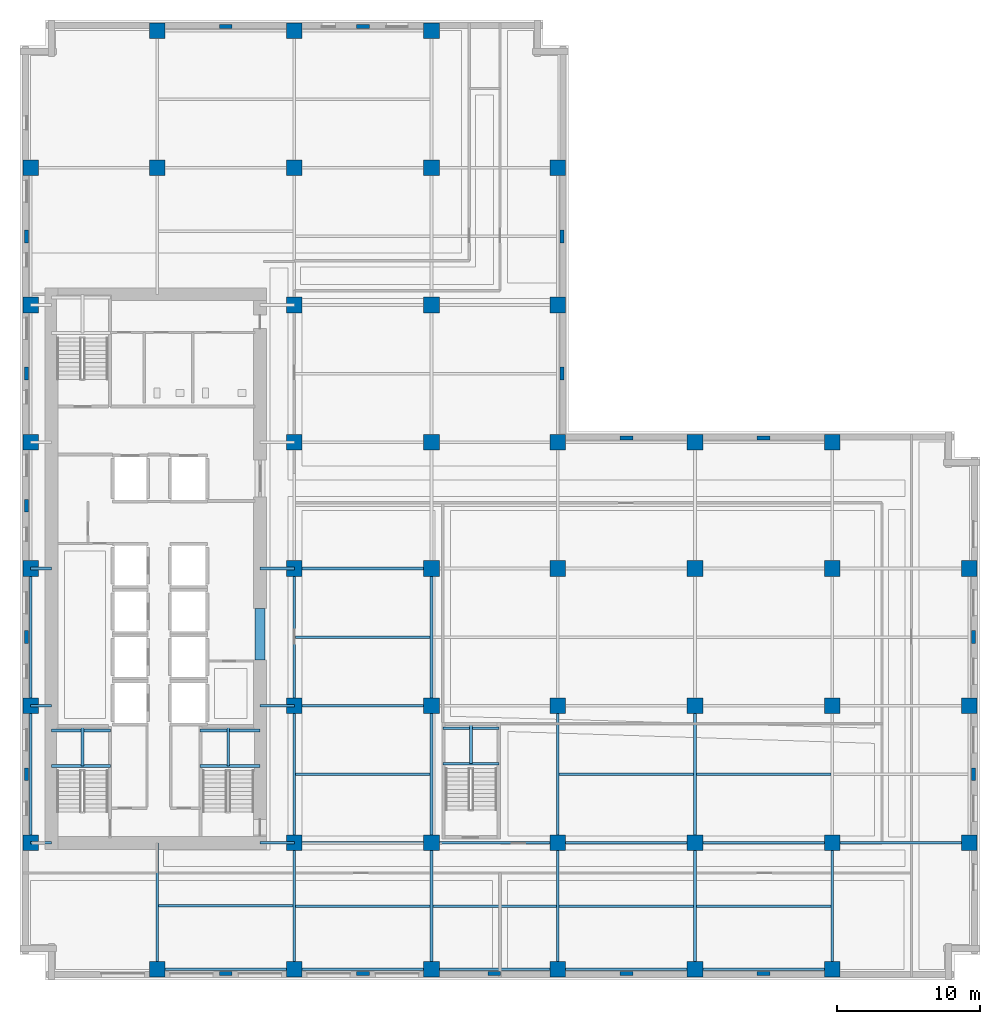
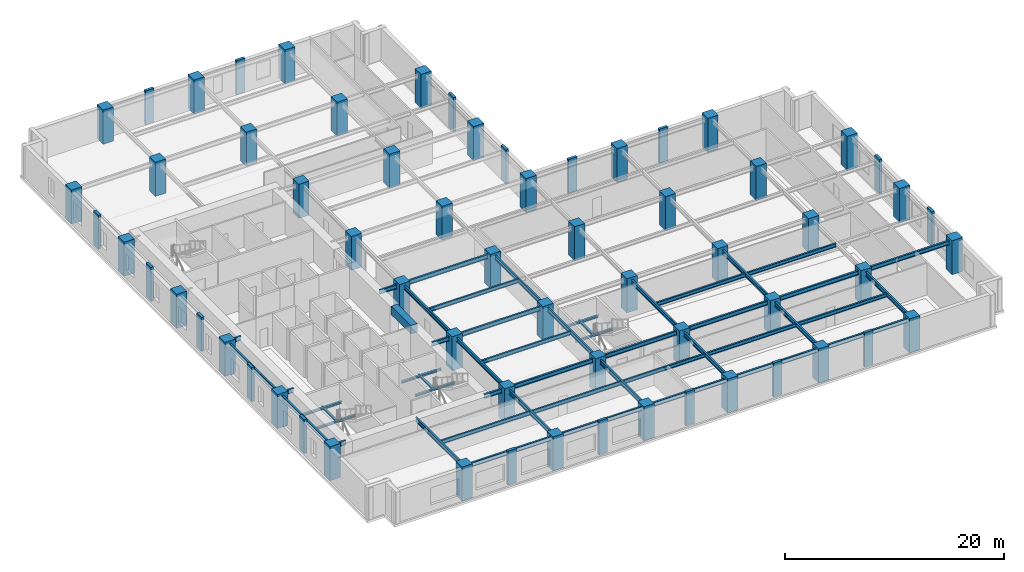
# One storey, part 1 of 13: 63 columns, 51 beams.
"""IFC4 building model written with IfcOpenShell, lengths in metres."""

from ifc_helpers import new_model, si_unit, direction, frame, origin, origin_2d, place, context, subcontext, project, spatial, rectangle, i_section, extrude, material, material_profile, profile_set, type_object, element, save


model = new_model("IFC4")

# Units and contexts
model_context = context("Model", 3, precision=1e-05, world=origin(), true_north=direction((0.0, 1.0)))
body_context = subcontext(model_context, "Body", "Model", "MODEL_VIEW")
ifc_project = project(units=[si_unit("LENGTHUNIT", "METRE"), si_unit("AREAUNIT", "SQUARE_METRE"), si_unit("VOLUMEUNIT", "CUBIC_METRE"), si_unit("PLANEANGLEUNIT", "RADIAN"), si_unit("MASSUNIT", "GRAM", prefix="KILO")], contexts=[model_context])

# Site, building, storey
site_placement = place(None, origin())
site = spatial("IfcSite", under=ifc_project, at=site_placement, CompositionType="ELEMENT")
building_placement = place(site_placement, origin())
building = spatial("IfcBuilding", under=site, at=building_placement, Name="Norrvale University Quadrangle", CompositionType="ELEMENT")
storey_placement = place(building_placement, frame((0.0, 0.0, 85.0)))
storey = spatial("IfcBuildingStorey", under=building, at=storey_placement, Name="L21", CompositionType="ELEMENT", Elevation=85.0)

# Columns
ifc_material_1 = material(Name="Buff Brick Concrete C60/75", Category="concrete")
ifc_material_profile_1 = material_profile(ifc_material_1, rectangle(XDim=0.89990234375, YDim=0.280029296875, at=origin_2d()), Name="Buff Brick Concrete C60/75")
ifc_profile_set_1 = profile_set([ifc_material_profile_1], Name="Buff Brick Concrete C60/75")
column_type_1 = type_object("IfcColumnType", Name="Column Buff Pier 900x280", PredefinedType="PILASTER", material=ifc_profile_set_1)
for number, where, z_axis, x_axis, name in (
    (1, (0.449951171875, 14.39990234375, 0.0), (0.0, 0.0, 1.0), (0.0, 1.0, 0.0), "Exterior Brick Facade Pilaster L21-01"),
    (2, (0.449951171875, 24.0, 0.0), (0.0, 0.0, 1.0), (0.0, 1.0, 0.0), "Exterior Brick Facade Pilaster L21-02"),
    (3, (0.449951171875, 33.199951171875, 0.0), (0.0, 0.0, 1.0), (0.0, 1.0, 0.0), "Exterior Brick Facade Pilaster L21-03"),
    (4, (0.449951171875, 42.449951171875, 0.0), (0.0, 0.0, 1.0), (0.0, 1.0, 0.0), "Exterior Brick Facade Pilaster L21-04"),
    (5, (0.449951171875, 52.050048828125, 0.0), (0.0, 0.0, 1.0), (0.0, 1.0, 0.0), "Exterior Brick Facade Pilaster L21-05"),
    (6, (14.39990234375, 0.449951171875, 0.0), (0.0, 0.0, 1.0), (1.0, 0.0, 0.0), "Exterior Brick Facade Pilaster L21-06"),
    (7, (24.0, 0.449951171875, 0.0), (0.0, 0.0, 1.0), (1.0, 0.0, 0.0), "Exterior Brick Facade Pilaster L21-07"),
    (8, (33.199951171875, 0.449951171875, 0.0), (0.0, 0.0, 1.0), (1.0, 0.0, 0.0), "Exterior Brick Facade Pilaster L21-08"),
    (9, (42.449951171875, 0.449951171875, 0.0), (0.0, 0.0, 1.0), (1.0, 0.0, 0.0), "Exterior Brick Facade Pilaster L21-09"),
    (10, (52.050048828125, 0.449951171875, 0.0), (0.0, 0.0, 1.0), (1.0, 0.0, 0.0), "Exterior Brick Facade Pilaster L21-10"),
    (11, (66.75, 14.39990234375, 0.0), (0.0, 0.0, 1.0), (0.0, 1.0, 0.0), "Exterior Brick Facade Pilaster L21-11"),
    (12, (66.75, 24.0, 0.0), (0.0, 0.0, 1.0), (0.0, 1.0, 0.0), "Exterior Brick Facade Pilaster L21-12"),
    (13, (14.39990234375, 66.75, 0.0), (0.0, 0.0, 1.0), (1.0, 0.0, 0.0), "Exterior Brick Facade Pilaster L21-13"),
    (14, (24.0, 66.75, 0.0), (0.0, 0.0, 1.0), (1.0, 0.0, 0.0), "Exterior Brick Facade Pilaster L21-14"),
    (15, (37.949951171875, 42.449951171875, 0.0), (0.0, 0.0, 1.0), (0.0, 1.0, 0.0), "Exterior Brick Facade Pilaster L21-15"),
    (16, (37.949951171875, 52.050048828125, 0.0), (0.0, 0.0, 1.0), (0.0, 1.0, 0.0), "Exterior Brick Facade Pilaster L21-16"),
    (17, (42.449951171875, 37.949951171875, 0.0), (0.0, 0.0, 1.0), (1.0, 0.0, 0.0), "Exterior Brick Facade Pilaster L21-17"),
    (18, (52.050048828125, 37.949951171875, 0.0), (0.0, 0.0, 1.0), (1.0, 0.0, 0.0), "Exterior Brick Facade Pilaster L21-18"),
):
    element("IfcColumn", number, at=place(storey_placement, frame(where, z_axis=z_axis, x_axis=x_axis)), inside=storey, type_object=column_type_1, Name=name, PredefinedType="PILASTER", context=body_context, shape_type="SweptSolid", body=[
        extrude(rectangle(XDim=0.89990234375, YDim=0.280029296875, at=origin_2d()), origin(), (0.0, 0.0, 1.0), 3.800048828125),
    ])
ifc_material_2 = material(Name="Concrete C80/95", Category="concrete")
ifc_material_profile_2 = material_profile(ifc_material_2, rectangle(XDim=1.10009765625, YDim=1.10009765625, at=origin_2d()), Name="Concrete C80/95")
ifc_profile_set_2 = profile_set([ifc_material_profile_2], Name="Concrete C80/95")
column_type_2 = type_object("IfcColumnType", Name="Column Tower Z1 1100x1100", PredefinedType="COLUMN", material=ifc_profile_set_2)
for number, where, z_axis, x_axis, name in (
    (19, (0.75, 9.60009765625, 0.0), (0.0, 0.0, 1.0), (1.0, 0.0, 0.0), "Tower Column L21-T01"),
    (20, (0.75, 19.199951171875, 0.0), (0.0, 0.0, 1.0), (1.0, 0.0, 0.0), "Tower Column L21-T02"),
    (21, (0.75, 28.800048828125, 0.0), (0.0, 0.0, 1.0), (1.0, 0.0, 0.0), "Tower Column L21-T03"),
    (22, (0.75, 37.64990234375, 0.0), (0.0, 0.0, 1.0), (1.0, 0.0, 0.0), "Tower Column L21-T04"),
    (23, (0.75, 47.25, 0.0), (0.0, 0.0, 1.0), (1.0, 0.0, 0.0), "Tower Column L21-T05"),
    (24, (0.75, 56.85009765625, 0.0), (0.0, 0.0, 1.0), (1.0, 0.0, 0.0), "Tower Column L21-T06"),
    (25, (9.60009765625, 0.75, 0.0), (0.0, 0.0, 1.0), (1.0, 0.0, 0.0), "Tower Column L21-T07"),
    (26, (9.60009765625, 56.85009765625, 0.0), (0.0, 0.0, 1.0), (1.0, 0.0, 0.0), "Tower Column L21-T08"),
    (27, (9.60009765625, 66.449951171875, 0.0), (0.0, 0.0, 1.0), (1.0, 0.0, 0.0), "Tower Column L21-T09"),
    (28, (19.199951171875, 0.75, 0.0), (0.0, 0.0, 1.0), (1.0, 0.0, 0.0), "Tower Column L21-T10"),
    (29, (19.199951171875, 9.60009765625, 0.0), (0.0, 0.0, 1.0), (1.0, 0.0, 0.0), "Tower Column L21-T11"),
    (30, (19.199951171875, 19.199951171875, 0.0), (0.0, 0.0, 1.0), (1.0, 0.0, 0.0), "Tower Column L21-T12"),
    (31, (19.199951171875, 28.800048828125, 0.0), (0.0, 0.0, 1.0), (1.0, 0.0, 0.0), "Tower Column L21-T13"),
    (32, (19.199951171875, 37.64990234375, 0.0), (0.0, 0.0, 1.0), (1.0, 0.0, 0.0), "Tower Column L21-T14"),
    (33, (19.199951171875, 47.25, 0.0), (0.0, 0.0, 1.0), (1.0, 0.0, 0.0), "Tower Column L21-T15"),
    (34, (19.199951171875, 56.85009765625, 0.0), (0.0, 0.0, 1.0), (1.0, 0.0, 0.0), "Tower Column L21-T16"),
    (35, (19.199951171875, 66.449951171875, 0.0), (0.0, 0.0, 1.0), (1.0, 0.0, 0.0), "Tower Column L21-T17"),
    (36, (28.800048828125, 0.75, 0.0), (0.0, 0.0, 1.0), (1.0, 0.0, 0.0), "Tower Column L21-T18"),
    (37, (28.800048828125, 9.60009765625, 0.0), (0.0, 0.0, 1.0), (1.0, 0.0, 0.0), "Tower Column L21-T19"),
    (38, (28.800048828125, 19.199951171875, 0.0), (0.0, 0.0, 1.0), (1.0, 0.0, 0.0), "Tower Column L21-T20"),
    (39, (28.800048828125, 28.800048828125, 0.0), (0.0, 0.0, 1.0), (1.0, 0.0, 0.0), "Tower Column L21-T21"),
    (40, (28.800048828125, 37.64990234375, 0.0), (0.0, 0.0, 1.0), (1.0, 0.0, 0.0), "Tower Column L21-T22"),
    (41, (28.800048828125, 47.25, 0.0), (0.0, 0.0, 1.0), (1.0, 0.0, 0.0), "Tower Column L21-T23"),
    (42, (28.800048828125, 56.85009765625, 0.0), (0.0, 0.0, 1.0), (1.0, 0.0, 0.0), "Tower Column L21-T24"),
    (43, (28.800048828125, 66.449951171875, 0.0), (0.0, 0.0, 1.0), (1.0, 0.0, 0.0), "Tower Column L21-T25"),
    (44, (37.64990234375, 0.75, 0.0), (0.0, 0.0, 1.0), (1.0, 0.0, 0.0), "Tower Column L21-T26"),
    (45, (37.64990234375, 9.60009765625, 0.0), (0.0, 0.0, 1.0), (1.0, 0.0, 0.0), "Tower Column L21-T27"),
    (46, (37.64990234375, 19.199951171875, 0.0), (0.0, 0.0, 1.0), (1.0, 0.0, 0.0), "Tower Column L21-T28"),
    (47, (37.64990234375, 28.800048828125, 0.0), (0.0, 0.0, 1.0), (1.0, 0.0, 0.0), "Tower Column L21-T29"),
    (48, (37.64990234375, 37.64990234375, 0.0), (0.0, 0.0, 1.0), (1.0, 0.0, 0.0), "Tower Column L21-T30"),
    (49, (37.64990234375, 47.25, 0.0), (0.0, 0.0, 1.0), (1.0, 0.0, 0.0), "Tower Column L21-T31"),
    (50, (37.64990234375, 56.85009765625, 0.0), (0.0, 0.0, 1.0), (1.0, 0.0, 0.0), "Tower Column L21-T32"),
    (51, (47.25, 0.75, 0.0), (0.0, 0.0, 1.0), (1.0, 0.0, 0.0), "Tower Column L21-T33"),
    (52, (47.25, 9.60009765625, 0.0), (0.0, 0.0, 1.0), (1.0, 0.0, 0.0), "Tower Column L21-T34"),
    (53, (47.25, 19.199951171875, 0.0), (0.0, 0.0, 1.0), (1.0, 0.0, 0.0), "Tower Column L21-T35"),
    (54, (47.25, 28.800048828125, 0.0), (0.0, 0.0, 1.0), (1.0, 0.0, 0.0), "Tower Column L21-T36"),
    (55, (47.25, 37.64990234375, 0.0), (0.0, 0.0, 1.0), (1.0, 0.0, 0.0), "Tower Column L21-T37"),
    (56, (56.85009765625, 0.75, 0.0), (0.0, 0.0, 1.0), (1.0, 0.0, 0.0), "Tower Column L21-T38"),
    (57, (56.85009765625, 9.60009765625, 0.0), (0.0, 0.0, 1.0), (1.0, 0.0, 0.0), "Tower Column L21-T39"),
    (58, (56.85009765625, 19.199951171875, 0.0), (0.0, 0.0, 1.0), (1.0, 0.0, 0.0), "Tower Column L21-T40"),
    (59, (56.85009765625, 28.800048828125, 0.0), (0.0, 0.0, 1.0), (1.0, 0.0, 0.0), "Tower Column L21-T41"),
    (60, (56.85009765625, 37.64990234375, 0.0), (0.0, 0.0, 1.0), (1.0, 0.0, 0.0), "Tower Column L21-T42"),
    (61, (66.449951171875, 9.60009765625, 0.0), (0.0, 0.0, 1.0), (1.0, 0.0, 0.0), "Tower Column L21-T43"),
    (62, (66.449951171875, 19.199951171875, 0.0), (0.0, 0.0, 1.0), (1.0, 0.0, 0.0), "Tower Column L21-T44"),
    (63, (66.449951171875, 28.800048828125, 0.0), (0.0, 0.0, 1.0), (1.0, 0.0, 0.0), "Tower Column L21-T45"),
):
    element("IfcColumn", number, at=place(storey_placement, frame(where, z_axis=z_axis, x_axis=x_axis)), inside=storey, type_object=column_type_2, Name=name, PredefinedType="COLUMN", context=body_context, shape_type="SweptSolid", body=[
        extrude(rectangle(XDim=1.10009765625, YDim=1.10009765625, at=origin_2d()), origin(), (0.0, 0.0, 1.0), 3.800048828125),
    ])

# Beams
ifc_material_3 = material(Name="Steel 350W", Category="steel")
ifc_material_profile_3 = material_profile(ifc_material_3, i_section(OverallWidth=0.180908203125, OverallDepth=0.4169921875, WebThickness=0.010986328125, FlangeThickness=0.018310546875, FilletRadius=0.011962890625, at=origin_2d()), Name="Steel 350W")
ifc_profile_set_3 = profile_set([ifc_material_profile_3], Name="Steel 350W")
beam_type_1 = type_object("IfcBeamType", Name="Beam Atrium W410x85", PredefinedType="BEAM", material=ifc_profile_set_3)
for number, where, z_axis, x_axis, name in (
    (64, (19.297119140625, 5.175048828125, 3.33154296875), (1.0, 0.0, 0.0), (0.0, 1.0, 0.0), "Beam Atrium W410x85 BM-L21-J080"),
    (65, (19.297119140625, 14.39990234375, 3.33154296875), (1.0, 0.0, 0.0), (0.0, 1.0, 0.0), "Beam Atrium W410x85 BM-L21-J081"),
    (66, (19.297119140625, 24.0, 3.33154296875), (1.0, 0.0, 0.0), (0.0, 1.0, 0.0), "Beam Atrium W410x85 BM-L21-J082"),
):
    element("IfcBeam", number, at=place(storey_placement, frame(where, z_axis=z_axis, x_axis=x_axis)), inside=storey, type_object=beam_type_1, Name=name, PredefinedType="BEAM", context=body_context, shape_type="SweptSolid", body=[
        extrude(i_section(OverallWidth=0.180908203125, OverallDepth=0.4169921875, WebThickness=0.010986328125, FlangeThickness=0.018310546875, FilletRadius=0.011962890625, at=origin_2d()), origin(), (0.0, 0.0, 1.0), 9.40576171875),
    ])
beam_1_placement = place(storey_placement, frame((28.89697265625, 5.175048828125, 3.33154296875), z_axis=(1.0, 0.0, 0.0), x_axis=(0.0, 1.0, 0.0)))
element("IfcBeam", 67, at=beam_1_placement, inside=storey, type_object=beam_type_1, Name="Beam Atrium W410x85 BM-L21-J087", PredefinedType="BEAM", context=body_context, shape_type="SweptSolid", body=[
    extrude(i_section(OverallWidth=0.180908203125, OverallDepth=0.4169921875, WebThickness=0.010986328125, FlangeThickness=0.018310546875, FilletRadius=0.011962890625, at=origin_2d()), origin(), (0.0, 0.0, 1.0), 8.656005859375),
])
for number, where, z_axis, x_axis, name in (
    (68, (37.7470703125, 5.175048828125, 3.33154296875), (1.0, 0.0, 0.0), (0.0, 1.0, 0.0), "Beam Atrium W410x85 BM-L21-J092"),
    (69, (37.7470703125, 14.39990234375, 3.33154296875), (1.0, 0.0, 0.0), (0.0, 1.0, 0.0), "Beam Atrium W410x85 BM-L21-J093"),
    (70, (47.346923828125, 5.175048828125, 3.33154296875), (1.0, 0.0, 0.0), (0.0, 1.0, 0.0), "Beam Atrium W410x85 BM-L21-J096"),
    (71, (47.346923828125, 14.39990234375, 3.33154296875), (1.0, 0.0, 0.0), (0.0, 1.0, 0.0), "Beam Atrium W410x85 BM-L21-J097"),
    (72, (9.697021484375, 5.199951171875, 3.33154296875), (1.0, 0.0, 0.0), (0.0, 1.0, 0.0), "Beam Atrium W410x85 BM-L21-JCS103"),
):
    element("IfcBeam", number, at=place(storey_placement, frame(where, z_axis=z_axis, x_axis=x_axis)), inside=storey, type_object=beam_type_1, Name=name, PredefinedType="BEAM", context=body_context, shape_type="SweptSolid", body=[
        extrude(i_section(OverallWidth=0.180908203125, OverallDepth=0.4169921875, WebThickness=0.010986328125, FlangeThickness=0.018310546875, FilletRadius=0.011962890625, at=origin_2d()), origin(), (0.0, 0.0, 1.0), 9.406005859375),
    ])
ifc_material_profile_4 = material_profile(ifc_material_2, rectangle(XDim=0.699951171875, YDim=0.949951171875, at=origin_2d()), Name="Concrete C80/95")
ifc_profile_set_4 = profile_set([ifc_material_profile_4], Name="Concrete C80/95")
beam_type_2 = type_object("IfcBeamType", Name="Beam Core Link 700x950", PredefinedType="LINTEL", material=ifc_profile_set_4)
beam_2_placement = place(storey_placement, frame((16.800048828125, 22.39990234375, 3.06494140625), z_axis=(0.0, 1.0, 0.0), x_axis=(-1.0, 0.0, 0.0)))
element("IfcBeam", 73, at=beam_2_placement, inside=storey, type_object=beam_type_2, Name="Core Coupling Lintel Beam L21-1", PredefinedType="LINTEL", context=body_context, shape_type="SweptSolid", body=[
    extrude(rectangle(XDim=0.699951171875, YDim=0.949951171875, at=origin_2d()), origin(), (0.0, 0.0, 1.0), 3.60009765625),
])
ifc_material_profile_5 = material_profile(ifc_material_3, i_section(OverallWidth=0.194091796875, OverallDepth=0.468994140625, WebThickness=0.0126953125, FlangeThickness=0.0205078125, FilletRadius=0.012939453125, at=origin_2d()), Name="Steel 350W")
ifc_profile_set_5 = profile_set([ifc_material_profile_5], Name="Steel 350W")
beam_type_3 = type_object("IfcBeamType", Name="Beam Floor W460x106", PredefinedType="BEAM", material=ifc_profile_set_5)
beam_3_placement = place(storey_placement, frame((9.60009765625, 0.75, 3.305419921875), z_axis=(1.0, 0.0, 0.0), x_axis=(0.0, 1.0, 0.0)))
element("IfcBeam", 74, at=beam_3_placement, inside=storey, type_object=beam_type_3, Name="Beam Floor W460x106 BM-L21-GX001", PredefinedType="BEAM", context=body_context, shape_type="SweptSolid", body=[
    extrude(i_section(OverallWidth=0.194091796875, OverallDepth=0.468994140625, WebThickness=0.0126953125, FlangeThickness=0.0205078125, FilletRadius=0.012939453125, at=origin_2d()), origin(), (0.0, 0.0, 1.0), 9.599853515625),
])
beam_4_placement = place(storey_placement, frame((19.199951171875, 0.75, 3.305419921875), z_axis=(1.0, 0.0, 0.0), x_axis=(0.0, 1.0, 0.0)))
element("IfcBeam", 75, at=beam_4_placement, inside=storey, type_object=beam_type_3, Name="Beam Floor W460x106 BM-L21-GX002", PredefinedType="BEAM", context=body_context, shape_type="SweptSolid", body=[
    extrude(i_section(OverallWidth=0.194091796875, OverallDepth=0.468994140625, WebThickness=0.0126953125, FlangeThickness=0.0205078125, FilletRadius=0.012939453125, at=origin_2d()), origin(), (0.0, 0.0, 1.0), 9.60009765625),
])
beam_5_placement = place(storey_placement, frame((28.800048828125, 0.75, 3.305419921875), z_axis=(1.0, 0.0, 0.0), x_axis=(0.0, 1.0, 0.0)))
element("IfcBeam", 76, at=beam_5_placement, inside=storey, type_object=beam_type_3, Name="Beam Floor W460x106 BM-L21-GX003", PredefinedType="BEAM", context=body_context, shape_type="SweptSolid", body=[
    extrude(i_section(OverallWidth=0.194091796875, OverallDepth=0.468994140625, WebThickness=0.0126953125, FlangeThickness=0.0205078125, FilletRadius=0.012939453125, at=origin_2d()), origin(), (0.0, 0.0, 1.0), 8.849853515625),
])
for number, where, z_axis, x_axis, name in (
    (77, (37.64990234375, 0.75, 3.305419921875), (1.0, 0.0, 0.0), (0.0, 1.0, 0.0), "Beam Floor W460x106 BM-L21-GX004"),
    (78, (47.25, 0.75, 3.305419921875), (1.0, 0.0, 0.0), (0.0, 1.0, 0.0), "Beam Floor W460x106 BM-L21-GX005"),
    (79, (19.199951171875, 9.60009765625, 3.305419921875), (1.0, 0.0, 0.0), (0.0, 1.0, 0.0), "Beam Floor W460x106 BM-L21-GX006"),
):
    element("IfcBeam", number, at=place(storey_placement, frame(where, z_axis=z_axis, x_axis=x_axis)), inside=storey, type_object=beam_type_3, Name=name, PredefinedType="BEAM", context=body_context, shape_type="SweptSolid", body=[
        extrude(i_section(OverallWidth=0.194091796875, OverallDepth=0.468994140625, WebThickness=0.0126953125, FlangeThickness=0.0205078125, FilletRadius=0.012939453125, at=origin_2d()), origin(), (0.0, 0.0, 1.0), 9.60009765625),
    ])
beam_6_placement = place(storey_placement, frame((28.800048828125, 9.60009765625, 3.305419921875), z_axis=(1.0, 0.0, 0.0), x_axis=(0.0, 1.0, 0.0)))
element("IfcBeam", 80, at=beam_6_placement, inside=storey, type_object=beam_type_3, Name="Beam Floor W460x106 BM-L21-GX007", PredefinedType="BEAM", context=body_context, shape_type="SweptSolid", body=[
    extrude(i_section(OverallWidth=0.194091796875, OverallDepth=0.468994140625, WebThickness=0.0126953125, FlangeThickness=0.0205078125, FilletRadius=0.012939453125, at=origin_2d()), origin(), (0.0, 0.0, 1.0), 8.849853515625),
])
for number, where, z_axis, x_axis, name in (
    (81, (37.64990234375, 9.60009765625, 3.305419921875), (1.0, 0.0, 0.0), (0.0, 1.0, 0.0), "Beam Floor W460x106 BM-L21-GX008"),
    (82, (47.25, 9.60009765625, 3.305419921875), (1.0, 0.0, 0.0), (0.0, 1.0, 0.0), "Beam Floor W460x106 BM-L21-GX009"),
):
    element("IfcBeam", number, at=place(storey_placement, frame(where, z_axis=z_axis, x_axis=x_axis)), inside=storey, type_object=beam_type_3, Name=name, PredefinedType="BEAM", context=body_context, shape_type="SweptSolid", body=[
        extrude(i_section(OverallWidth=0.194091796875, OverallDepth=0.468994140625, WebThickness=0.0126953125, FlangeThickness=0.0205078125, FilletRadius=0.012939453125, at=origin_2d()), origin(), (0.0, 0.0, 1.0), 9.60009765625),
    ])
beam_7_placement = place(storey_placement, frame((56.85009765625, 9.60009765625, 3.305419921875), z_axis=(1.0, 0.0, 0.0), x_axis=(0.0, 1.0, 0.0)))
element("IfcBeam", 83, at=beam_7_placement, inside=storey, type_object=beam_type_3, Name="Beam Floor W460x106 BM-L21-GX010", PredefinedType="BEAM", context=body_context, shape_type="SweptSolid", body=[
    extrude(i_section(OverallWidth=0.194091796875, OverallDepth=0.468994140625, WebThickness=0.0126953125, FlangeThickness=0.0205078125, FilletRadius=0.012939453125, at=origin_2d()), origin(), (0.0, 0.0, 1.0), 9.599853515625),
])
for number, where, z_axis, x_axis, name in (
    (84, (19.199951171875, 19.199951171875, 3.305419921875), (1.0, 0.0, 0.0), (0.0, 1.0, 0.0), "Beam Floor W460x106 BM-L21-GX011"),
    (85, (19.199951171875, 28.800048828125, 3.305419921875), (1.0, 0.0, 0.0), (0.0, 1.0, 0.0), "Beam Floor W460x106 BM-L21-GX016"),
):
    element("IfcBeam", number, at=place(storey_placement, frame(where, z_axis=z_axis, x_axis=x_axis)), inside=storey, type_object=beam_type_3, Name=name, PredefinedType="BEAM", context=body_context, shape_type="SweptSolid", body=[
        extrude(i_section(OverallWidth=0.194091796875, OverallDepth=0.468994140625, WebThickness=0.0126953125, FlangeThickness=0.0205078125, FilletRadius=0.012939453125, at=origin_2d()), origin(), (0.0, 0.0, 1.0), 9.60009765625),
    ])
beam_8_placement = place(storey_placement, frame((0.75, 9.60009765625, 3.305419921875), z_axis=(0.0, 1.0, 0.0), x_axis=(-1.0, 0.0, 0.0)))
element("IfcBeam", 86, at=beam_8_placement, inside=storey, type_object=beam_type_3, Name="Beam Floor W460x106 BM-L21-GY033", PredefinedType="BEAM", context=body_context, shape_type="SweptSolid", body=[
    extrude(i_section(OverallWidth=0.194091796875, OverallDepth=0.468994140625, WebThickness=0.0126953125, FlangeThickness=0.0205078125, FilletRadius=0.012939453125, at=origin_2d()), origin(), (0.0, 0.0, 1.0), 9.599853515625),
])
beam_9_placement = place(storey_placement, frame((0.75, 19.199951171875, 3.305419921875), z_axis=(0.0, 1.0, 0.0), x_axis=(-1.0, 0.0, 0.0)))
element("IfcBeam", 87, at=beam_9_placement, inside=storey, type_object=beam_type_3, Name="Beam Floor W460x106 BM-L21-GY034", PredefinedType="BEAM", context=body_context, shape_type="SweptSolid", body=[
    extrude(i_section(OverallWidth=0.194091796875, OverallDepth=0.468994140625, WebThickness=0.0126953125, FlangeThickness=0.0205078125, FilletRadius=0.012939453125, at=origin_2d()), origin(), (0.0, 0.0, 1.0), 9.60009765625),
])
beam_10_placement = place(storey_placement, frame((19.199951171875, 0.75, 3.305419921875), z_axis=(0.0, 1.0, 0.0), x_axis=(-1.0, 0.0, 0.0)))
element("IfcBeam", 88, at=beam_10_placement, inside=storey, type_object=beam_type_3, Name="Beam Floor W460x106 BM-L21-GY039", PredefinedType="BEAM", context=body_context, shape_type="SweptSolid", body=[
    extrude(i_section(OverallWidth=0.194091796875, OverallDepth=0.468994140625, WebThickness=0.0126953125, FlangeThickness=0.0205078125, FilletRadius=0.012939453125, at=origin_2d()), origin(), (0.0, 0.0, 1.0), 8.85009765625),
])
beam_11_placement = place(storey_placement, frame((19.199951171875, 9.60009765625, 3.305419921875), z_axis=(0.0, 1.0, 0.0), x_axis=(-1.0, 0.0, 0.0)))
element("IfcBeam", 89, at=beam_11_placement, inside=storey, type_object=beam_type_3, Name="Beam Floor W460x106 BM-L21-GY040", PredefinedType="BEAM", context=body_context, shape_type="SweptSolid", body=[
    extrude(i_section(OverallWidth=0.194091796875, OverallDepth=0.468994140625, WebThickness=0.0126953125, FlangeThickness=0.0205078125, FilletRadius=0.012939453125, at=origin_2d()), origin(), (0.0, 0.0, 1.0), 9.599853515625),
])
beam_12_placement = place(storey_placement, frame((19.199951171875, 19.199951171875, 3.305419921875), z_axis=(0.0, 1.0, 0.0), x_axis=(-1.0, 0.0, 0.0)))
element("IfcBeam", 90, at=beam_12_placement, inside=storey, type_object=beam_type_3, Name="Beam Floor W460x106 BM-L21-GY041", PredefinedType="BEAM", context=body_context, shape_type="SweptSolid", body=[
    extrude(i_section(OverallWidth=0.194091796875, OverallDepth=0.468994140625, WebThickness=0.0126953125, FlangeThickness=0.0205078125, FilletRadius=0.012939453125, at=origin_2d()), origin(), (0.0, 0.0, 1.0), 9.60009765625),
])
beam_13_placement = place(storey_placement, frame((28.800048828125, 0.75, 3.305419921875), z_axis=(0.0, 1.0, 0.0), x_axis=(-1.0, 0.0, 0.0)))
element("IfcBeam", 91, at=beam_13_placement, inside=storey, type_object=beam_type_3, Name="Beam Floor W460x106 BM-L21-GY046", PredefinedType="BEAM", context=body_context, shape_type="SweptSolid", body=[
    extrude(i_section(OverallWidth=0.194091796875, OverallDepth=0.468994140625, WebThickness=0.0126953125, FlangeThickness=0.0205078125, FilletRadius=0.012939453125, at=origin_2d()), origin(), (0.0, 0.0, 1.0), 8.85009765625),
])
beam_14_placement = place(storey_placement, frame((28.800048828125, 9.60009765625, 3.305419921875), z_axis=(0.0, 1.0, 0.0), x_axis=(-1.0, 0.0, 0.0)))
element("IfcBeam", 92, at=beam_14_placement, inside=storey, type_object=beam_type_3, Name="Beam Floor W460x106 BM-L21-GY047", PredefinedType="BEAM", context=body_context, shape_type="SweptSolid", body=[
    extrude(i_section(OverallWidth=0.194091796875, OverallDepth=0.468994140625, WebThickness=0.0126953125, FlangeThickness=0.0205078125, FilletRadius=0.012939453125, at=origin_2d()), origin(), (0.0, 0.0, 1.0), 9.599853515625),
])
beam_15_placement = place(storey_placement, frame((28.800048828125, 19.199951171875, 3.305419921875), z_axis=(0.0, 1.0, 0.0), x_axis=(-1.0, 0.0, 0.0)))
element("IfcBeam", 93, at=beam_15_placement, inside=storey, type_object=beam_type_3, Name="Beam Floor W460x106 BM-L21-GY048", PredefinedType="BEAM", context=body_context, shape_type="SweptSolid", body=[
    extrude(i_section(OverallWidth=0.194091796875, OverallDepth=0.468994140625, WebThickness=0.0126953125, FlangeThickness=0.0205078125, FilletRadius=0.012939453125, at=origin_2d()), origin(), (0.0, 0.0, 1.0), 9.60009765625),
])
beam_16_placement = place(storey_placement, frame((37.64990234375, 0.75, 3.305419921875), z_axis=(0.0, 1.0, 0.0), x_axis=(-1.0, 0.0, 0.0)))
element("IfcBeam", 94, at=beam_16_placement, inside=storey, type_object=beam_type_3, Name="Beam Floor W460x106 BM-L21-GY053", PredefinedType="BEAM", context=body_context, shape_type="SweptSolid", body=[
    extrude(i_section(OverallWidth=0.194091796875, OverallDepth=0.468994140625, WebThickness=0.0126953125, FlangeThickness=0.0205078125, FilletRadius=0.012939453125, at=origin_2d()), origin(), (0.0, 0.0, 1.0), 8.85009765625),
])
beam_17_placement = place(storey_placement, frame((37.64990234375, 9.60009765625, 3.305419921875), z_axis=(0.0, 1.0, 0.0), x_axis=(-1.0, 0.0, 0.0)))
element("IfcBeam", 95, at=beam_17_placement, inside=storey, type_object=beam_type_3, Name="Beam Floor W460x106 BM-L21-GY054", PredefinedType="BEAM", context=body_context, shape_type="SweptSolid", body=[
    extrude(i_section(OverallWidth=0.194091796875, OverallDepth=0.468994140625, WebThickness=0.0126953125, FlangeThickness=0.0205078125, FilletRadius=0.012939453125, at=origin_2d()), origin(), (0.0, 0.0, 1.0), 9.599853515625),
])
beam_18_placement = place(storey_placement, frame((47.25, 0.75, 3.305419921875), z_axis=(0.0, 1.0, 0.0), x_axis=(-1.0, 0.0, 0.0)))
element("IfcBeam", 96, at=beam_18_placement, inside=storey, type_object=beam_type_3, Name="Beam Floor W460x106 BM-L21-GY059", PredefinedType="BEAM", context=body_context, shape_type="SweptSolid", body=[
    extrude(i_section(OverallWidth=0.194091796875, OverallDepth=0.468994140625, WebThickness=0.0126953125, FlangeThickness=0.0205078125, FilletRadius=0.012939453125, at=origin_2d()), origin(), (0.0, 0.0, 1.0), 8.85009765625),
])
beam_19_placement = place(storey_placement, frame((47.25, 9.60009765625, 3.305419921875), z_axis=(0.0, 1.0, 0.0), x_axis=(-1.0, 0.0, 0.0)))
element("IfcBeam", 97, at=beam_19_placement, inside=storey, type_object=beam_type_3, Name="Beam Floor W460x106 BM-L21-GY060", PredefinedType="BEAM", context=body_context, shape_type="SweptSolid", body=[
    extrude(i_section(OverallWidth=0.194091796875, OverallDepth=0.468994140625, WebThickness=0.0126953125, FlangeThickness=0.0205078125, FilletRadius=0.012939453125, at=origin_2d()), origin(), (0.0, 0.0, 1.0), 9.599853515625),
])
beam_20_placement = place(storey_placement, frame((56.85009765625, 0.75, 3.305419921875), z_axis=(0.0, 1.0, 0.0), x_axis=(-1.0, 0.0, 0.0)))
element("IfcBeam", 98, at=beam_20_placement, inside=storey, type_object=beam_type_3, Name="Beam Floor W460x106 BM-L21-GY063", PredefinedType="BEAM", context=body_context, shape_type="SweptSolid", body=[
    extrude(i_section(OverallWidth=0.194091796875, OverallDepth=0.468994140625, WebThickness=0.0126953125, FlangeThickness=0.0205078125, FilletRadius=0.012939453125, at=origin_2d()), origin(), (0.0, 0.0, 1.0), 8.85009765625),
])
beam_21_placement = place(storey_placement, frame((0.75, 9.60009765625, 3.305419921875), z_axis=(1.0, 0.0, 0.0), x_axis=(0.0, 1.0, 0.0)))
element("IfcBeam", 99, at=beam_21_placement, inside=storey, type_object=beam_type_3, Name="Beam Floor W460x106 BM-L21-GCW069", PredefinedType="BEAM", context=body_context, shape_type="SweptSolid", body=[
    extrude(i_section(OverallWidth=0.194091796875, OverallDepth=0.468994140625, WebThickness=0.0126953125, FlangeThickness=0.0205078125, FilletRadius=0.012939453125, at=origin_2d()), origin(), (0.0, 0.0, 1.0), 1.449951171875),
])
beam_22_placement = place(storey_placement, frame((16.800048828125, 9.60009765625, 3.305419921875), z_axis=(1.0, 0.0, 0.0), x_axis=(0.0, 1.0, 0.0)))
element("IfcBeam", 100, at=beam_22_placement, inside=storey, type_object=beam_type_3, Name="Beam Floor W460x106 BM-L21-GCE070", PredefinedType="BEAM", context=body_context, shape_type="SweptSolid", body=[
    extrude(i_section(OverallWidth=0.194091796875, OverallDepth=0.468994140625, WebThickness=0.0126953125, FlangeThickness=0.0205078125, FilletRadius=0.012939453125, at=origin_2d()), origin(), (0.0, 0.0, 1.0), 2.39990234375),
])
beam_23_placement = place(storey_placement, frame((0.75, 19.199951171875, 3.305419921875), z_axis=(1.0, 0.0, 0.0), x_axis=(0.0, 1.0, 0.0)))
element("IfcBeam", 101, at=beam_23_placement, inside=storey, type_object=beam_type_3, Name="Beam Floor W460x106 BM-L21-GCW071", PredefinedType="BEAM", context=body_context, shape_type="SweptSolid", body=[
    extrude(i_section(OverallWidth=0.194091796875, OverallDepth=0.468994140625, WebThickness=0.0126953125, FlangeThickness=0.0205078125, FilletRadius=0.012939453125, at=origin_2d()), origin(), (0.0, 0.0, 1.0), 1.449951171875),
])
beam_24_placement = place(storey_placement, frame((16.800048828125, 19.199951171875, 3.305419921875), z_axis=(1.0, 0.0, 0.0), x_axis=(0.0, 1.0, 0.0)))
element("IfcBeam", 102, at=beam_24_placement, inside=storey, type_object=beam_type_3, Name="Beam Floor W460x106 BM-L21-GCE072", PredefinedType="BEAM", context=body_context, shape_type="SweptSolid", body=[
    extrude(i_section(OverallWidth=0.194091796875, OverallDepth=0.468994140625, WebThickness=0.0126953125, FlangeThickness=0.0205078125, FilletRadius=0.012939453125, at=origin_2d()), origin(), (0.0, 0.0, 1.0), 2.39990234375),
])
beam_25_placement = place(storey_placement, frame((0.75, 28.800048828125, 3.305419921875), z_axis=(1.0, 0.0, 0.0), x_axis=(0.0, 1.0, 0.0)))
element("IfcBeam", 103, at=beam_25_placement, inside=storey, type_object=beam_type_3, Name="Beam Floor W460x106 BM-L21-GCW073", PredefinedType="BEAM", context=body_context, shape_type="SweptSolid", body=[
    extrude(i_section(OverallWidth=0.194091796875, OverallDepth=0.468994140625, WebThickness=0.0126953125, FlangeThickness=0.0205078125, FilletRadius=0.012939453125, at=origin_2d()), origin(), (0.0, 0.0, 1.0), 1.449951171875),
])
beam_26_placement = place(storey_placement, frame((16.800048828125, 28.800048828125, 3.305419921875), z_axis=(1.0, 0.0, 0.0), x_axis=(0.0, 1.0, 0.0)))
element("IfcBeam", 104, at=beam_26_placement, inside=storey, type_object=beam_type_3, Name="Beam Floor W460x106 BM-L21-GCE074", PredefinedType="BEAM", context=body_context, shape_type="SweptSolid", body=[
    extrude(i_section(OverallWidth=0.194091796875, OverallDepth=0.468994140625, WebThickness=0.0126953125, FlangeThickness=0.0205078125, FilletRadius=0.012939453125, at=origin_2d()), origin(), (0.0, 0.0, 1.0), 2.39990234375),
])
beam_27_placement = place(storey_placement, frame((9.60009765625, 0.75, 3.305419921875), z_axis=(0.0, 1.0, 0.0), x_axis=(-1.0, 0.0, 0.0)))
element("IfcBeam", 105, at=beam_27_placement, inside=storey, type_object=beam_type_3, Name="Beam Floor W460x106 BM-L21-GCS102", PredefinedType="BEAM", context=body_context, shape_type="SweptSolid", body=[
    extrude(i_section(OverallWidth=0.194091796875, OverallDepth=0.468994140625, WebThickness=0.0126953125, FlangeThickness=0.0205078125, FilletRadius=0.012939453125, at=origin_2d()), origin(), (0.0, 0.0, 1.0), 8.85009765625),
])
ifc_material_profile_6 = material_profile(ifc_material_3, i_section(OverallWidth=0.201904296875, OverallDepth=0.2470703125, WebThickness=0.00732421875, FlangeThickness=0.010986328125, FilletRadius=0.011962890625, at=origin_2d()), Name="Steel 350W")
ifc_profile_set_6 = profile_set([ifc_material_profile_6], Name="Steel 350W")
beam_type_4 = type_object("IfcBeamType", Name="Beam Stair W250x49", PredefinedType="BEAM", material=ifc_profile_set_6)
for number, where, z_axis, x_axis, name in (
    (106, (2.199951171875, 14.989990234375, 1.576416015625), (1.0, 0.0, 0.0), (0.0, 1.0, 0.0), "Stair Mid-Landing Front Beam ST-01 L21"),
    (107, (2.199951171875, 17.469970703125, 1.576416015625), (1.0, 0.0, 0.0), (0.0, 1.0, 0.0), "Stair Mid-Landing Rear Beam ST-01 L21"),
):
    element("IfcBeam", number, at=place(storey_placement, frame(where, z_axis=z_axis, x_axis=x_axis)), inside=storey, type_object=beam_type_4, Name=name, PredefinedType="BEAM", context=body_context, shape_type="SweptSolid", body=[
        extrude(i_section(OverallWidth=0.201904296875, OverallDepth=0.2470703125, WebThickness=0.00732421875, FlangeThickness=0.010986328125, FilletRadius=0.011962890625, at=origin_2d()), origin(), (0.0, 0.0, 1.0), 4.14013671875),
    ])
for number, where, z_axis, x_axis, name in (
    (108, (12.610107421875, 14.989990234375, 1.576416015625), (1.0, 0.0, 0.0), (0.0, 1.0, 0.0), "Stair Mid-Landing Front Beam ST-03 L21"),
    (109, (12.610107421875, 17.469970703125, 1.576416015625), (1.0, 0.0, 0.0), (0.0, 1.0, 0.0), "Stair Mid-Landing Rear Beam ST-03 L21"),
):
    element("IfcBeam", number, at=place(storey_placement, frame(where, z_axis=z_axis, x_axis=x_axis)), inside=storey, type_object=beam_type_4, Name=name, PredefinedType="BEAM", context=body_context, shape_type="SweptSolid", body=[
        extrude(i_section(OverallWidth=0.201904296875, OverallDepth=0.2470703125, WebThickness=0.00732421875, FlangeThickness=0.010986328125, FilletRadius=0.011962890625, at=origin_2d()), origin(), (0.0, 0.0, 1.0), 4.18994140625),
    ])
for number, where, z_axis, x_axis, name in (
    (110, (29.610107421875, 15.139892578125, 1.576416015625), (1.0, 0.0, 0.0), (0.0, 1.0, 0.0), "Stair Mid-Landing Front Beam ST-04 L21"),
    (111, (29.610107421875, 17.6201171875, 1.576416015625), (1.0, 0.0, 0.0), (0.0, 1.0, 0.0), "Stair Mid-Landing Rear Beam ST-04 L21"),
):
    element("IfcBeam", number, at=place(storey_placement, frame(where, z_axis=z_axis, x_axis=x_axis)), inside=storey, type_object=beam_type_4, Name=name, PredefinedType="BEAM", context=body_context, shape_type="SweptSolid", body=[
        extrude(i_section(OverallWidth=0.201904296875, OverallDepth=0.2470703125, WebThickness=0.00732421875, FlangeThickness=0.010986328125, FilletRadius=0.011962890625, at=origin_2d()), origin(), (0.0, 0.0, 1.0), 3.929931640625),
    ])
ifc_material_profile_7 = material_profile(ifc_material_3, i_section(OverallWidth=0.202880859375, OverallDepth=0.202880859375, WebThickness=0.007080078125, FlangeThickness=0.010986328125, FilletRadius=0.010009765625, at=origin_2d()), Name="Steel 350W")
ifc_profile_set_7 = profile_set([ifc_material_profile_7], Name="Steel 350W")
beam_type_5 = type_object("IfcBeamType", Name="Beam Trim W200x46", PredefinedType="BEAM", material=ifc_profile_set_7)
for number, where, z_axis, x_axis, name in (
    (112, (4.375, 14.989990234375, 1.598388671875), (0.0, 1.0, 0.0), (-1.0, 0.0, 0.0), "Stair Mid-Landing Cross Beam ST-01 L21"),
    (113, (14.574951171875, 14.989990234375, 1.598388671875), (0.0, 1.0, 0.0), (-1.0, 0.0, 0.0), "Stair Mid-Landing Cross Beam ST-03 L21"),
    (114, (31.574951171875, 15.139892578125, 1.598388671875), (0.0, 1.0, 0.0), (-1.0, 0.0, 0.0), "Stair Mid-Landing Cross Beam ST-04 L21"),
):
    element("IfcBeam", number, at=place(storey_placement, frame(where, z_axis=z_axis, x_axis=x_axis)), inside=storey, type_object=beam_type_5, Name=name, PredefinedType="BEAM", context=body_context, shape_type="SweptSolid", body=[
        extrude(i_section(OverallWidth=0.202880859375, OverallDepth=0.202880859375, WebThickness=0.007080078125, FlangeThickness=0.010986328125, FilletRadius=0.010009765625, at=origin_2d()), origin(), (0.0, 0.0, 1.0), 2.800048828125),
    ])

save(model, "model.ifc")
